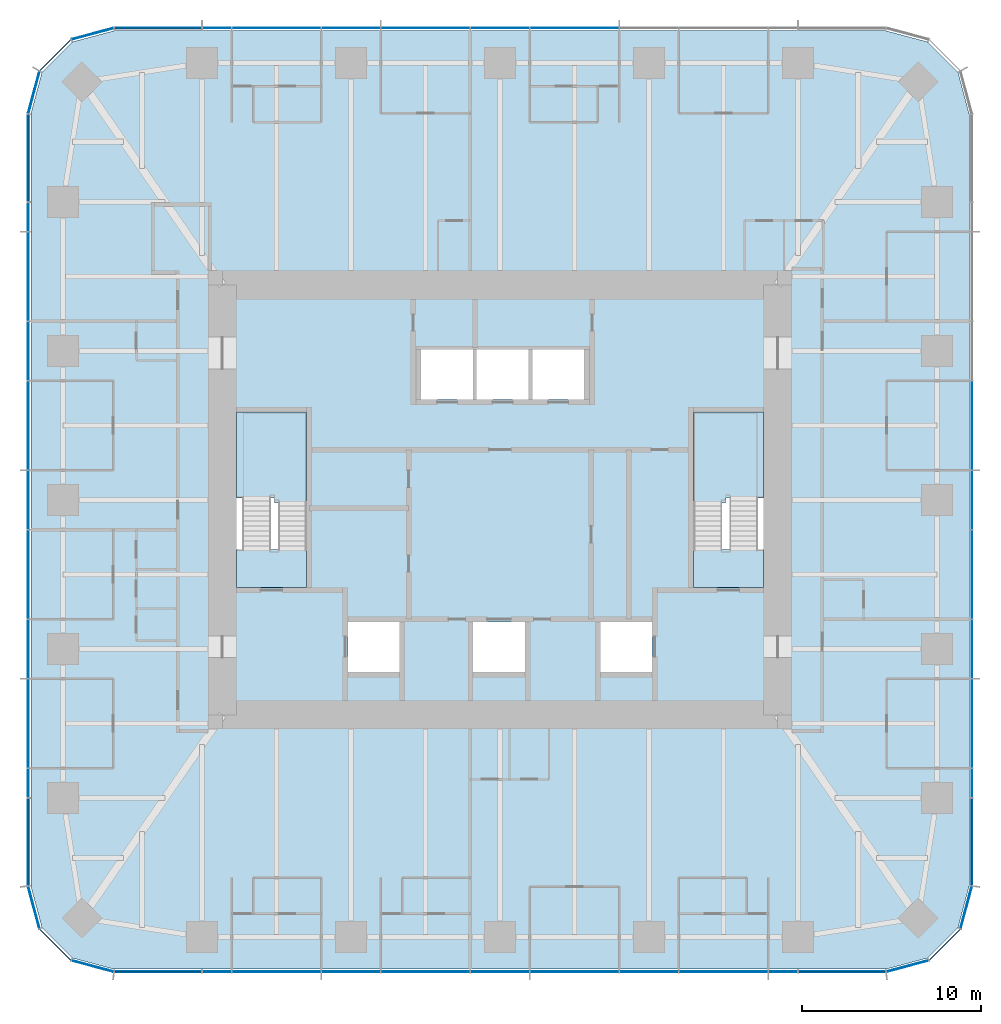
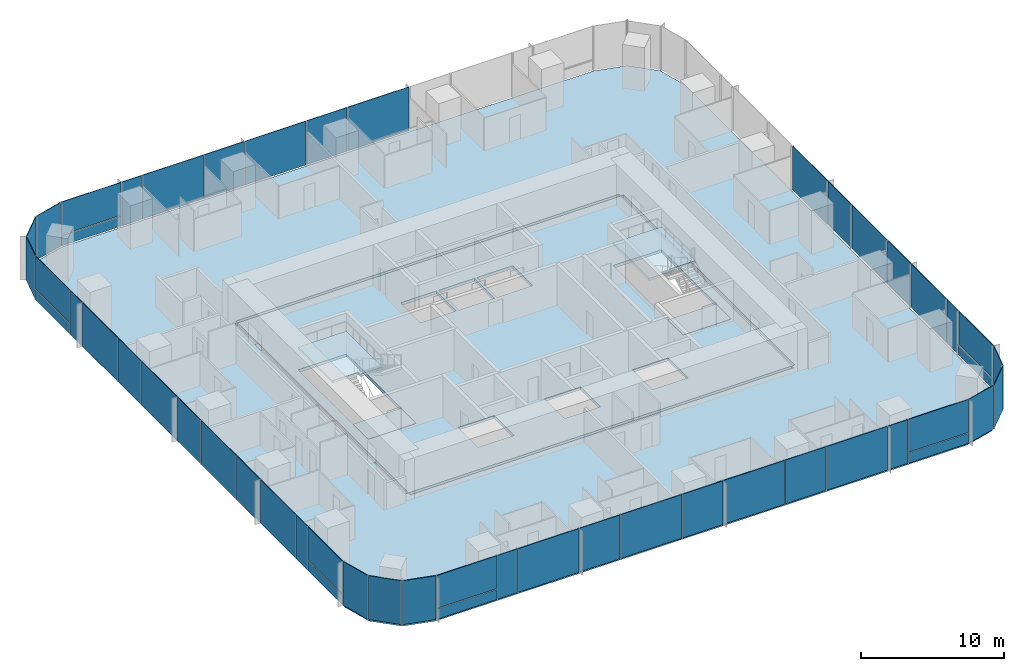
# One storey, part 7 of 12: 51 plates, 6 slabs, 9 elements without a shape of their own.
"""IFC4 building model written with IfcOpenShell, lengths in metres."""

from ifc_helpers import new_model, si_unit, direction, frame, origin, origin_2d, place, context, subcontext, project, spatial, polyline, rectangle, outline, extrude, material, layer, layer_set, type_object, element, aggregate, save


model = new_model("IFC4")

# Units and contexts
model_context = context("Model", 3, precision=1e-05, world=origin(), true_north=direction((0.0, 1.0)))
body_context = subcontext(model_context, "Body", "Model", "MODEL_VIEW")
ifc_project = project(units=[si_unit("LENGTHUNIT", "METRE"), si_unit("AREAUNIT", "SQUARE_METRE"), si_unit("VOLUMEUNIT", "CUBIC_METRE"), si_unit("PLANEANGLEUNIT", "RADIAN"), si_unit("MASSUNIT", "GRAM", prefix="KILO")], contexts=[model_context])

# Site, building, storey
site_placement = place(None, origin())
site = spatial("IfcSite", under=ifc_project, at=site_placement, CompositionType="ELEMENT")
building_placement = place(site_placement, origin())
building = spatial("IfcBuilding", under=site, at=building_placement, Name="Khuree Lantern Residences", CompositionType="ELEMENT")
storey_placement = place(building_placement, frame((0.0, 0.0, 218.25)))
storey = spatial("IfcBuildingStorey", under=building, at=storey_placement, Name="L54", CompositionType="ELEMENT", Elevation=218.25)

# Slab
ifc_material_1 = material(Name="Concrete C35/45", Category="concrete")
ifc_layer_1 = layer(ifc_material_1, 0.25)
ifc_layer_set_1 = layer_set([ifc_layer_1], Name="CFL250 CORE FLOOR SLAB 250")
slab_type_1 = type_object("IfcSlabType", Name="CFL250 CORE FLOOR SLAB 250", PredefinedType="FLOOR", material=ifc_layer_set_1)
slab_1_placement = place(storey_placement, frame((0.0, 0.0, -0.25)))
element("IfcSlab", 1, at=slab_1_placement, inside=storey, type_object=slab_type_1, Name="Core floor L54", PredefinedType="FLOOR", context=body_context, shape_type="SweptSolid", body=[
    extrude(outline(polyline([(-15.5, -12.0), (-15.5, 12.0), (15.5, 12.0), (15.5, -12.0), (-15.5, -12.0)]), holes=[polyline([(10.800048828125, 4.89990234375), (10.800048828125, -4.89990234375), (14.699951171875, -4.89990234375), (14.699951171875, 4.89990234375), (10.800048828125, 4.89990234375)]), polyline([(5.60009765625, -6.800048828125), (5.60009765625, -9.60009765625), (8.5, -9.60009765625), (8.5, -6.800048828125), (5.60009765625, -6.800048828125)]), polyline([(1.800048828125, 8.39990234375), (1.800048828125, 5.60009765625), (4.699951171875, 5.60009765625), (4.699951171875, 8.39990234375), (1.800048828125, 8.39990234375)]), polyline([(-1.300048828125, 8.39990234375), (-1.300048828125, 5.60009765625), (1.60009765625, 5.60009765625), (1.60009765625, 8.39990234375), (-1.300048828125, 8.39990234375)]), polyline([(-1.5, -6.800048828125), (-1.5, -9.60009765625), (1.39990234375, -9.60009765625), (1.39990234375, -6.800048828125), (-1.5, -6.800048828125)]), polyline([(-4.39990234375, 8.39990234375), (-4.39990234375, 5.60009765625), (-1.5, 5.60009765625), (-1.5, 8.39990234375), (-4.39990234375, 8.39990234375)]), polyline([(-8.5, -6.800048828125), (-8.5, -9.60009765625), (-5.60009765625, -9.60009765625), (-5.60009765625, -6.800048828125), (-8.5, -6.800048828125)]), polyline([(-14.699951171875, 4.89990234375), (-14.699951171875, -4.89990234375), (-10.800048828125, -4.89990234375), (-10.800048828125, 4.89990234375), (-14.699951171875, 4.89990234375)])]), origin(), (0.0, 0.0, 1.0), 0.25),
])

# Curtain wall, plates
ifc_material_2 = material(Name="Bronze anodised aluminium", Category="aluminium")
curtain_wall_type_1 = type_object("IfcCurtainWallType", Name="CW-T2 TOWER CORNER CURTAIN WALL", PredefinedType="USERDEFINED", material=ifc_material_2)
curtain_wall_1_placement = place(storey_placement, origin())
curtain_wall_1 = element("IfcCurtainWall", 2, at=curtain_wall_1_placement, inside=storey, type_object=curtain_wall_type_1, Name="L54 SOUTH-EAST CORNER CURTAIN WALL", ObjectType="Faceted corner curtain wall", PredefinedType="USERDEFINED")
ifc_material_3 = material(Name="Bronze tinted triple glazing", Category="glass")
ifc_layer_2 = layer(ifc_material_3, 0.048095703125)
ifc_layer_set_2 = layer_set([ifc_layer_2], Name="FACET PANEL P4")
plate_type_1 = type_object("IfcPlateType", Name="FACET PANEL P4", PredefinedType="CURTAIN_PANEL", material=ifc_layer_set_2)
plate_1_placement = place(storey_placement, frame((22.748046875, -26.029052734375, 0.0), z_axis=(0.0, 0.0, 1.0), x_axis=(0.965925832509, 0.258819021888, 0.0)))
plate_1 = element("IfcPlate", 3, at=plate_1_placement, type_object=plate_type_1, Name="L54 SOUTH-EAST CORNER PANEL 1.1", PredefinedType="CURTAIN_PANEL", context=body_context, shape_type="SweptSolid", body=[
    extrude(rectangle(XDim=2.40869140625, YDim=0.048095703125, at=origin_2d()), origin(), (0.0, 0.0, 1.0), 3.75),
])
plate_2_placement = place(storey_placement, frame((24.828369140625, -24.828369140625, 0.0), z_axis=(0.0, 0.0, 1.0), x_axis=(0.707106781187, 0.707106781187, 0.0)))
plate_2 = element("IfcPlate", 4, at=plate_2_placement, type_object=plate_type_1, Name="L54 SOUTH-EAST CORNER PANEL 2.1", PredefinedType="CURTAIN_PANEL", context=body_context, shape_type="SweptSolid", body=[
    extrude(rectangle(XDim=2.404541015625, YDim=0.048095703125, at=origin_2d()), origin(), (0.0, 0.0, 1.0), 3.75),
])
plate_3_placement = place(storey_placement, frame((26.029052734375, -22.748046875, 0.0), z_axis=(0.0, 0.0, 1.0), x_axis=(0.258819021888, 0.965925832509, 0.0)))
plate_3 = element("IfcPlate", 5, at=plate_3_placement, type_object=plate_type_1, Name="L54 SOUTH-EAST CORNER PANEL 3.1", PredefinedType="CURTAIN_PANEL", context=body_context, shape_type="SweptSolid", body=[
    extrude(rectangle(XDim=2.40869140625, YDim=0.048095703125, at=origin_2d()), origin(), (0.0, 0.0, 1.0), 3.75),
])
aggregate(curtain_wall_1, [plate_1, plate_2, plate_3])

curtain_wall_2_placement = place(storey_placement, origin())
curtain_wall_2 = element("IfcCurtainWall", 6, at=curtain_wall_2_placement, inside=storey, type_object=curtain_wall_type_1, Name="L54 NORTH-WEST CORNER CURTAIN WALL", ObjectType="Faceted corner curtain wall", PredefinedType="USERDEFINED")
plate_4_placement = place(storey_placement, frame((-22.748046875, 26.029052734375, 0.0), z_axis=(0.0, 0.0, 1.0), x_axis=(-0.965925832509, -0.258819021888, 0.0)))
plate_4 = element("IfcPlate", 7, at=plate_4_placement, type_object=plate_type_1, Name="L54 NORTH-WEST CORNER PANEL 29.1", PredefinedType="CURTAIN_PANEL", context=body_context, shape_type="SweptSolid", body=[
    extrude(rectangle(XDim=2.40869140625, YDim=0.048095703125, at=origin_2d()), origin(), (0.0, 0.0, 1.0), 3.75),
])
plate_5_placement = place(storey_placement, frame((-24.828369140625, 24.828369140625, 0.0), z_axis=(0.0, 0.0, 1.0), x_axis=(-0.707106781187, -0.707106781187, 0.0)))
plate_5 = element("IfcPlate", 8, at=plate_5_placement, type_object=plate_type_1, Name="L54 NORTH-WEST CORNER PANEL 30.1", PredefinedType="CURTAIN_PANEL", context=body_context, shape_type="SweptSolid", body=[
    extrude(rectangle(XDim=2.404541015625, YDim=0.048095703125, at=origin_2d()), origin(), (0.0, 0.0, 1.0), 3.75),
])
plate_6_placement = place(storey_placement, frame((-26.029052734375, 22.748046875, 0.0), z_axis=(0.0, 0.0, 1.0), x_axis=(-0.258819021888, -0.965925832509, 0.0)))
plate_6 = element("IfcPlate", 9, at=plate_6_placement, type_object=plate_type_1, Name="L54 NORTH-WEST CORNER PANEL 31.1", PredefinedType="CURTAIN_PANEL", context=body_context, shape_type="SweptSolid", body=[
    extrude(rectangle(XDim=2.40869140625, YDim=0.048095703125, at=origin_2d()), origin(), (0.0, 0.0, 1.0), 3.75),
])
aggregate(curtain_wall_2, [plate_4, plate_5, plate_6])

curtain_wall_3_placement = place(storey_placement, origin())
curtain_wall_3 = element("IfcCurtainWall", 10, at=curtain_wall_3_placement, inside=storey, type_object=curtain_wall_type_1, Name="L54 SOUTH-WEST CORNER CURTAIN WALL", ObjectType="Faceted corner curtain wall", PredefinedType="USERDEFINED")
plate_7_placement = place(storey_placement, frame((-26.029052734375, -22.748046875, 0.0), z_axis=(0.0, 0.0, 1.0), x_axis=(0.258819021888, -0.965925832509, 0.0)))
plate_7 = element("IfcPlate", 11, at=plate_7_placement, type_object=plate_type_1, Name="L54 SOUTH-WEST CORNER PANEL 43.1", PredefinedType="CURTAIN_PANEL", context=body_context, shape_type="SweptSolid", body=[
    extrude(rectangle(XDim=2.40869140625, YDim=0.048095703125, at=origin_2d()), origin(), (0.0, 0.0, 1.0), 3.75),
])
plate_8_placement = place(storey_placement, frame((-24.828369140625, -24.828369140625, 0.0), z_axis=(0.0, 0.0, 1.0), x_axis=(0.707106781187, -0.707106781187, 0.0)))
plate_8 = element("IfcPlate", 12, at=plate_8_placement, type_object=plate_type_1, Name="L54 SOUTH-WEST CORNER PANEL 44.1", PredefinedType="CURTAIN_PANEL", context=body_context, shape_type="SweptSolid", body=[
    extrude(rectangle(XDim=2.404541015625, YDim=0.048095703125, at=origin_2d()), origin(), (0.0, 0.0, 1.0), 3.75),
])
plate_9_placement = place(storey_placement, frame((-22.748046875, -26.029052734375, 0.0), z_axis=(0.0, 0.0, 1.0), x_axis=(0.965925832509, -0.258819021888, 0.0)))
plate_9 = element("IfcPlate", 13, at=plate_9_placement, type_object=plate_type_1, Name="L54 SOUTH-WEST CORNER PANEL 45.1", PredefinedType="CURTAIN_PANEL", context=body_context, shape_type="SweptSolid", body=[
    extrude(rectangle(XDim=2.40869140625, YDim=0.048095703125, at=origin_2d()), origin(), (0.0, 0.0, 1.0), 3.75),
])
aggregate(curtain_wall_3, [plate_7, plate_8, plate_9])

curtain_wall_type_2 = type_object("IfcCurtainWallType", Name="CW-T1 TOWER FACE CURTAIN WALL", PredefinedType="USERDEFINED", material=ifc_material_2)
curtain_wall_4_placement = place(storey_placement, origin())
curtain_wall_4 = element("IfcCurtainWall", 14, at=curtain_wall_4_placement, inside=storey, type_object=curtain_wall_type_2, Name="L54 EAST FACE CURTAIN WALL", ObjectType="Stick-built curtain wall", PredefinedType="USERDEFINED")
ifc_material_4 = material(Name="Bronze tinted triple glazing with a ceramic-fritted spandrel band", Category="glass")
ifc_layer_3 = layer(ifc_material_4, 0.048095703125)
ifc_layer_set_3 = layer_set([ifc_layer_3], Name="FIXED LIGHT PANEL P11")
plate_type_2 = type_object("IfcPlateType", Name="FIXED LIGHT PANEL P11", PredefinedType="CURTAIN_PANEL", material=ifc_layer_set_3)
plate_10_placement = place(storey_placement, frame((26.35009765625, -12.47998046875, 0.0), z_axis=(0.0, 0.0, 1.0), x_axis=(0.0, 1.0, 0.0)))
plate_10 = element("IfcPlate", 15, at=plate_10_placement, type_object=plate_type_2, Name="L54 EAST FACE PANEL 6.1", PredefinedType="CURTAIN_PANEL", context=body_context, shape_type="SweptSolid", body=[
    extrude(rectangle(XDim=4.927001953125, YDim=0.048095703125, at=origin_2d()), origin(), (0.0, 0.0, 1.0), 3.75),
])
plate_11_placement = place(storey_placement, frame((26.35009765625, -4.159912109375, 0.0), z_axis=(0.0, 0.0, 1.0), x_axis=(0.0, 1.0, 0.0)))
plate_11 = element("IfcPlate", 16, at=plate_11_placement, type_object=plate_type_2, Name="L54 EAST FACE PANEL 8.1", PredefinedType="CURTAIN_PANEL", context=body_context, shape_type="SweptSolid", body=[
    extrude(rectangle(XDim=4.927001953125, YDim=0.048095703125, at=origin_2d()), origin(), (0.0, 0.0, 1.0), 3.75),
])
plate_12_placement = place(storey_placement, frame((26.35009765625, 4.159912109375, 0.0), z_axis=(0.0, 0.0, 1.0), x_axis=(0.0, 1.0, 0.0)))
plate_12 = element("IfcPlate", 17, at=plate_12_placement, type_object=plate_type_2, Name="L54 EAST FACE PANEL 10.1", PredefinedType="CURTAIN_PANEL", context=body_context, shape_type="SweptSolid", body=[
    extrude(rectangle(XDim=4.927001953125, YDim=0.048095703125, at=origin_2d()), origin(), (0.0, 0.0, 1.0), 3.75),
])

curtain_wall_5_placement = place(storey_placement, origin())
curtain_wall_5 = element("IfcCurtainWall", 18, at=curtain_wall_5_placement, inside=storey, type_object=curtain_wall_type_2, Name="L54 NORTH FACE CURTAIN WALL", ObjectType="Stick-built curtain wall", PredefinedType="USERDEFINED")
plate_13_placement = place(storey_placement, frame((4.159912109375, 26.35009765625, 0.0), z_axis=(0.0, 0.0, 1.0), x_axis=(-1.0, 0.0, 0.0)))
plate_13 = element("IfcPlate", 19, at=plate_13_placement, type_object=plate_type_2, Name="L54 NORTH FACE PANEL 22.1", PredefinedType="CURTAIN_PANEL", context=body_context, shape_type="SweptSolid", body=[
    extrude(rectangle(XDim=4.927001953125, YDim=0.048095703125, at=origin_2d()), origin(), (0.0, 0.0, 1.0), 3.75),
])
plate_14_placement = place(storey_placement, frame((-4.159912109375, 26.35009765625, 0.0), z_axis=(0.0, 0.0, 1.0), x_axis=(-1.0, 0.0, 0.0)))
plate_14 = element("IfcPlate", 20, at=plate_14_placement, type_object=plate_type_2, Name="L54 NORTH FACE PANEL 24.1", PredefinedType="CURTAIN_PANEL", context=body_context, shape_type="SweptSolid", body=[
    extrude(rectangle(XDim=4.927001953125, YDim=0.048095703125, at=origin_2d()), origin(), (0.0, 0.0, 1.0), 3.75),
])
plate_15_placement = place(storey_placement, frame((-12.47998046875, 26.35009765625, 0.0), z_axis=(0.0, 0.0, 1.0), x_axis=(-1.0, 0.0, 0.0)))
plate_15 = element("IfcPlate", 21, at=plate_15_placement, type_object=plate_type_2, Name="L54 NORTH FACE PANEL 26.1", PredefinedType="CURTAIN_PANEL", context=body_context, shape_type="SweptSolid", body=[
    extrude(rectangle(XDim=4.927001953125, YDim=0.048095703125, at=origin_2d()), origin(), (0.0, 0.0, 1.0), 3.75),
])

curtain_wall_6_placement = place(storey_placement, origin())
curtain_wall_6 = element("IfcCurtainWall", 22, at=curtain_wall_6_placement, inside=storey, type_object=curtain_wall_type_2, Name="L54 WEST FACE CURTAIN WALL", ObjectType="Stick-built curtain wall", PredefinedType="USERDEFINED")
plate_16_placement = place(storey_placement, frame((-26.35009765625, 12.47998046875, 0.0), z_axis=(0.0, 0.0, 1.0), x_axis=(0.0, -1.0, 0.0)))
plate_16 = element("IfcPlate", 23, at=plate_16_placement, type_object=plate_type_2, Name="L54 WEST FACE PANEL 34.1", PredefinedType="CURTAIN_PANEL", context=body_context, shape_type="SweptSolid", body=[
    extrude(rectangle(XDim=4.927001953125, YDim=0.048095703125, at=origin_2d()), origin(), (0.0, 0.0, 1.0), 3.75),
])
plate_17_placement = place(storey_placement, frame((-26.35009765625, 4.159912109375, 0.0), z_axis=(0.0, 0.0, 1.0), x_axis=(0.0, -1.0, 0.0)))
plate_17 = element("IfcPlate", 24, at=plate_17_placement, type_object=plate_type_2, Name="L54 WEST FACE PANEL 36.1", PredefinedType="CURTAIN_PANEL", context=body_context, shape_type="SweptSolid", body=[
    extrude(rectangle(XDim=4.927001953125, YDim=0.048095703125, at=origin_2d()), origin(), (0.0, 0.0, 1.0), 3.75),
])
plate_18_placement = place(storey_placement, frame((-26.35009765625, -4.159912109375, 0.0), z_axis=(0.0, 0.0, 1.0), x_axis=(0.0, -1.0, 0.0)))
plate_18 = element("IfcPlate", 25, at=plate_18_placement, type_object=plate_type_2, Name="L54 WEST FACE PANEL 38.1", PredefinedType="CURTAIN_PANEL", context=body_context, shape_type="SweptSolid", body=[
    extrude(rectangle(XDim=4.927001953125, YDim=0.048095703125, at=origin_2d()), origin(), (0.0, 0.0, 1.0), 3.75),
])
plate_19_placement = place(storey_placement, frame((-26.35009765625, -12.47998046875, 0.0), z_axis=(0.0, 0.0, 1.0), x_axis=(0.0, -1.0, 0.0)))
plate_19 = element("IfcPlate", 26, at=plate_19_placement, type_object=plate_type_2, Name="L54 WEST FACE PANEL 40.1", PredefinedType="CURTAIN_PANEL", context=body_context, shape_type="SweptSolid", body=[
    extrude(rectangle(XDim=4.927001953125, YDim=0.048095703125, at=origin_2d()), origin(), (0.0, 0.0, 1.0), 3.75),
])

curtain_wall_7_placement = place(storey_placement, origin())
curtain_wall_7 = element("IfcCurtainWall", 27, at=curtain_wall_7_placement, inside=storey, type_object=curtain_wall_type_2, Name="L54 SOUTH FACE CURTAIN WALL", ObjectType="Stick-built curtain wall", PredefinedType="USERDEFINED")
plate_20_placement = place(storey_placement, frame((-12.47998046875, -26.35009765625, 0.0), z_axis=(0.0, 0.0, 1.0), x_axis=(1.0, 0.0, 0.0)))
plate_20 = element("IfcPlate", 28, at=plate_20_placement, type_object=plate_type_2, Name="L54 SOUTH FACE PANEL 48.1", PredefinedType="CURTAIN_PANEL", context=body_context, shape_type="SweptSolid", body=[
    extrude(rectangle(XDim=4.927001953125, YDim=0.048095703125, at=origin_2d()), origin(), (0.0, 0.0, 1.0), 3.75),
])
plate_21_placement = place(storey_placement, frame((-4.159912109375, -26.35009765625, 0.0), z_axis=(0.0, 0.0, 1.0), x_axis=(1.0, 0.0, 0.0)))
plate_21 = element("IfcPlate", 29, at=plate_21_placement, type_object=plate_type_2, Name="L54 SOUTH FACE PANEL 50.1", PredefinedType="CURTAIN_PANEL", context=body_context, shape_type="SweptSolid", body=[
    extrude(rectangle(XDim=4.927001953125, YDim=0.048095703125, at=origin_2d()), origin(), (0.0, 0.0, 1.0), 3.75),
])
plate_22_placement = place(storey_placement, frame((4.159912109375, -26.35009765625, 0.0), z_axis=(0.0, 0.0, 1.0), x_axis=(1.0, 0.0, 0.0)))
plate_22 = element("IfcPlate", 30, at=plate_22_placement, type_object=plate_type_2, Name="L54 SOUTH FACE PANEL 52.1", PredefinedType="CURTAIN_PANEL", context=body_context, shape_type="SweptSolid", body=[
    extrude(rectangle(XDim=4.927001953125, YDim=0.048095703125, at=origin_2d()), origin(), (0.0, 0.0, 1.0), 3.75),
])
plate_23_placement = place(storey_placement, frame((12.47998046875, -26.35009765625, 0.0), z_axis=(0.0, 0.0, 1.0), x_axis=(1.0, 0.0, 0.0)))
plate_23 = element("IfcPlate", 31, at=plate_23_placement, type_object=plate_type_2, Name="L54 SOUTH FACE PANEL 54.1", PredefinedType="CURTAIN_PANEL", context=body_context, shape_type="SweptSolid", body=[
    extrude(rectangle(XDim=4.927001953125, YDim=0.048095703125, at=origin_2d()), origin(), (0.0, 0.0, 1.0), 3.75),
])

# Slab
ifc_layer_4 = layer(ifc_material_1, 0.25)
ifc_layer_set_4 = layer_set([ifc_layer_4], Name="FS250 FLOOR SLAB 250")
slab_type_2 = type_object("IfcSlabType", Name="FS250 FLOOR SLAB 250", PredefinedType="FLOOR", material=ifc_layer_set_4)
slab_2_placement = place(storey_placement, frame((0.0, 0.0, -0.25)))
element("IfcSlab", 32, at=slab_2_placement, inside=storey, type_object=slab_type_2, Name="Floor slab L54", PredefinedType="FLOOR", context=body_context, shape_type="SweptSolid", body=[
    extrude(outline(polyline([(-23.875, -25.576904296875), (-25.576904296875, -23.875), (-26.199951171875, -21.550048828125), (-26.199951171875, 21.550048828125), (-25.576904296875, 23.875), (-23.875, 25.576904296875), (-21.550048828125, 26.199951171875), (21.550048828125, 26.199951171875), (23.875, 25.576904296875), (25.576904296875, 23.875), (26.199951171875, 21.550048828125), (26.199951171875, -21.550048828125), (25.576904296875, -23.875), (23.875, -25.576904296875), (21.550048828125, -26.199951171875), (-21.550048828125, -26.199951171875), (-23.875, -25.576904296875)]), holes=[polyline([(15.75, 12.0), (15.5, 12.0), (15.5, 12.25), (-15.5, 12.25), (-15.5, 12.0), (-15.75, 12.0), (-15.75, -12.0), (-15.5, -12.0), (-15.5, -12.25), (15.5, -12.25), (15.5, -12.0), (15.75, -12.0), (15.75, 12.0)])]), origin(), (0.0, 0.0, 1.0), 0.25),
])

# Plate
ifc_material_5 = material(Name="Bronze tinted triple glazing, two aluminium-framed sashes in one frame", Category="aluminium")
ifc_layer_5 = layer(ifc_material_5, 0.048095703125)
ifc_layer_set_5 = layer_set([ifc_layer_5], Name="SASH PAIR PANEL P12")
plate_type_3 = type_object("IfcPlateType", Name="SASH PAIR PANEL P12", PredefinedType="CURTAIN_PANEL", material=ifc_layer_set_5)
plate_24_placement = place(storey_placement, frame((26.35009765625, -8.320068359375, 0.0), z_axis=(0.0, 0.0, 1.0), x_axis=(0.0, 1.0, 0.0)))
plate_24 = element("IfcPlate", 33, at=plate_24_placement, type_object=plate_type_3, Name="L54 EAST FACE PANEL 7.1", PredefinedType="CURTAIN_PANEL", context=body_context, shape_type="SweptSolid", body=[
    extrude(rectangle(XDim=3.262939453125, YDim=0.048095703125, at=origin_2d()), origin(), (0.0, 0.0, 1.0), 3.75),
])

plate_25_placement = place(storey_placement, frame((26.35009765625, 0.0, 0.0), z_axis=(0.0, 0.0, 1.0), x_axis=(0.0, 1.0, 0.0)))
plate_25 = element("IfcPlate", 34, at=plate_25_placement, type_object=plate_type_3, Name="L54 EAST FACE PANEL 9.1", PredefinedType="CURTAIN_PANEL", context=body_context, shape_type="SweptSolid", body=[
    extrude(rectangle(XDim=3.262939453125, YDim=0.048095703125, at=origin_2d()), origin(), (0.0, 0.0, 1.0), 3.75),
])

plate_26_placement = place(storey_placement, frame((0.0, 26.35009765625, 0.0), z_axis=(0.0, 0.0, 1.0), x_axis=(-1.0, 0.0, 0.0)))
plate_26 = element("IfcPlate", 35, at=plate_26_placement, type_object=plate_type_3, Name="L54 NORTH FACE PANEL 23.1", PredefinedType="CURTAIN_PANEL", context=body_context, shape_type="SweptSolid", body=[
    extrude(rectangle(XDim=3.262939453125, YDim=0.048095703125, at=origin_2d()), origin(), (0.0, 0.0, 1.0), 3.75),
])

plate_27_placement = place(storey_placement, frame((-8.320068359375, 26.35009765625, 0.0), z_axis=(0.0, 0.0, 1.0), x_axis=(-1.0, 0.0, 0.0)))
plate_27 = element("IfcPlate", 36, at=plate_27_placement, type_object=plate_type_3, Name="L54 NORTH FACE PANEL 25.1", PredefinedType="CURTAIN_PANEL", context=body_context, shape_type="SweptSolid", body=[
    extrude(rectangle(XDim=3.262939453125, YDim=0.048095703125, at=origin_2d()), origin(), (0.0, 0.0, 1.0), 3.75),
])

plate_28_placement = place(storey_placement, frame((-26.35009765625, 8.320068359375, 0.0), z_axis=(0.0, 0.0, 1.0), x_axis=(0.0, -1.0, 0.0)))
plate_28 = element("IfcPlate", 37, at=plate_28_placement, type_object=plate_type_3, Name="L54 WEST FACE PANEL 35.1", PredefinedType="CURTAIN_PANEL", context=body_context, shape_type="SweptSolid", body=[
    extrude(rectangle(XDim=3.262939453125, YDim=0.048095703125, at=origin_2d()), origin(), (0.0, 0.0, 1.0), 3.75),
])

plate_29_placement = place(storey_placement, frame((-26.35009765625, 0.0, 0.0), z_axis=(0.0, 0.0, 1.0), x_axis=(0.0, -1.0, 0.0)))
plate_29 = element("IfcPlate", 38, at=plate_29_placement, type_object=plate_type_3, Name="L54 WEST FACE PANEL 37.1", PredefinedType="CURTAIN_PANEL", context=body_context, shape_type="SweptSolid", body=[
    extrude(rectangle(XDim=3.262939453125, YDim=0.048095703125, at=origin_2d()), origin(), (0.0, 0.0, 1.0), 3.75),
])

plate_30_placement = place(storey_placement, frame((-26.35009765625, -8.320068359375, 0.0), z_axis=(0.0, 0.0, 1.0), x_axis=(0.0, -1.0, 0.0)))
plate_30 = element("IfcPlate", 39, at=plate_30_placement, type_object=plate_type_3, Name="L54 WEST FACE PANEL 39.1", PredefinedType="CURTAIN_PANEL", context=body_context, shape_type="SweptSolid", body=[
    extrude(rectangle(XDim=3.262939453125, YDim=0.048095703125, at=origin_2d()), origin(), (0.0, 0.0, 1.0), 3.75),
])

plate_31_placement = place(storey_placement, frame((-8.320068359375, -26.35009765625, 0.0), z_axis=(0.0, 0.0, 1.0), x_axis=(1.0, 0.0, 0.0)))
plate_31 = element("IfcPlate", 40, at=plate_31_placement, type_object=plate_type_3, Name="L54 SOUTH FACE PANEL 49.1", PredefinedType="CURTAIN_PANEL", context=body_context, shape_type="SweptSolid", body=[
    extrude(rectangle(XDim=3.262939453125, YDim=0.048095703125, at=origin_2d()), origin(), (0.0, 0.0, 1.0), 3.75),
])

plate_32_placement = place(storey_placement, frame((0.0, -26.35009765625, 0.0), z_axis=(0.0, 0.0, 1.0), x_axis=(1.0, 0.0, 0.0)))
plate_32 = element("IfcPlate", 41, at=plate_32_placement, type_object=plate_type_3, Name="L54 SOUTH FACE PANEL 51.1", PredefinedType="CURTAIN_PANEL", context=body_context, shape_type="SweptSolid", body=[
    extrude(rectangle(XDim=3.262939453125, YDim=0.048095703125, at=origin_2d()), origin(), (0.0, 0.0, 1.0), 3.75),
])

plate_33_placement = place(storey_placement, frame((8.320068359375, -26.35009765625, 0.0), z_axis=(0.0, 0.0, 1.0), x_axis=(1.0, 0.0, 0.0)))
plate_33 = element("IfcPlate", 42, at=plate_33_placement, type_object=plate_type_3, Name="L54 SOUTH FACE PANEL 53.1", PredefinedType="CURTAIN_PANEL", context=body_context, shape_type="SweptSolid", body=[
    extrude(rectangle(XDim=3.262939453125, YDim=0.048095703125, at=origin_2d()), origin(), (0.0, 0.0, 1.0), 3.75),
])

ifc_material_6 = material(Name="Bronze tinted triple glazing, aluminium-framed sash", Category="aluminium")
ifc_layer_6 = layer(ifc_material_6, 0.048095703125)
ifc_layer_set_6 = layer_set([ifc_layer_6], Name="SASH PANEL P3")
plate_type_4 = type_object("IfcPlateType", Name="SASH PANEL P3", PredefinedType="CURTAIN_PANEL", material=ifc_layer_set_6)
plate_34_placement = place(storey_placement, frame((26.35009765625, -15.80810546875, 0.0), z_axis=(0.0, 0.0, 1.0), x_axis=(0.0, 1.0, 0.0)))
plate_34 = element("IfcPlate", 43, at=plate_34_placement, type_object=plate_type_4, Name="L54 EAST FACE PANEL 5.1", PredefinedType="CURTAIN_PANEL", context=body_context, shape_type="SweptSolid", body=[
    extrude(rectangle(XDim=1.59912109375, YDim=0.048095703125, at=origin_2d()), origin(), (0.0, 0.0, 1.0), 3.75),
])

plate_35_placement = place(storey_placement, frame((-15.80810546875, 26.35009765625, 0.0), z_axis=(0.0, 0.0, 1.0), x_axis=(-1.0, 0.0, 0.0)))
plate_35 = element("IfcPlate", 44, at=plate_35_placement, type_object=plate_type_4, Name="L54 NORTH FACE PANEL 27.1", PredefinedType="CURTAIN_PANEL", context=body_context, shape_type="SweptSolid", body=[
    extrude(rectangle(XDim=1.59912109375, YDim=0.048095703125, at=origin_2d()), origin(), (0.0, 0.0, 1.0), 3.75),
])

plate_36_placement = place(storey_placement, frame((-26.35009765625, 15.80810546875, 0.0), z_axis=(0.0, 0.0, 1.0), x_axis=(0.0, -1.0, 0.0)))
plate_36 = element("IfcPlate", 45, at=plate_36_placement, type_object=plate_type_4, Name="L54 WEST FACE PANEL 33.1", PredefinedType="CURTAIN_PANEL", context=body_context, shape_type="SweptSolid", body=[
    extrude(rectangle(XDim=1.59912109375, YDim=0.048095703125, at=origin_2d()), origin(), (0.0, 0.0, 1.0), 3.75),
])

plate_37_placement = place(storey_placement, frame((-26.35009765625, -15.80810546875, 0.0), z_axis=(0.0, 0.0, 1.0), x_axis=(0.0, -1.0, 0.0)))
plate_37 = element("IfcPlate", 46, at=plate_37_placement, type_object=plate_type_4, Name="L54 WEST FACE PANEL 41.1", PredefinedType="CURTAIN_PANEL", context=body_context, shape_type="SweptSolid", body=[
    extrude(rectangle(XDim=1.59912109375, YDim=0.048095703125, at=origin_2d()), origin(), (0.0, 0.0, 1.0), 3.75),
])

plate_38_placement = place(storey_placement, frame((-15.80810546875, -26.35009765625, 0.0), z_axis=(0.0, 0.0, 1.0), x_axis=(1.0, 0.0, 0.0)))
plate_38 = element("IfcPlate", 47, at=plate_38_placement, type_object=plate_type_4, Name="L54 SOUTH FACE PANEL 47.1", PredefinedType="CURTAIN_PANEL", context=body_context, shape_type="SweptSolid", body=[
    extrude(rectangle(XDim=1.59912109375, YDim=0.048095703125, at=origin_2d()), origin(), (0.0, 0.0, 1.0), 3.75),
])

plate_39_placement = place(storey_placement, frame((15.80810546875, -26.35009765625, 0.0), z_axis=(0.0, 0.0, 1.0), x_axis=(1.0, 0.0, 0.0)))
plate_39 = element("IfcPlate", 48, at=plate_39_placement, type_object=plate_type_4, Name="L54 SOUTH FACE PANEL 55.1", PredefinedType="CURTAIN_PANEL", context=body_context, shape_type="SweptSolid", body=[
    extrude(rectangle(XDim=1.59912109375, YDim=0.048095703125, at=origin_2d()), origin(), (0.0, 0.0, 1.0), 3.75),
])

ifc_material_7 = material(Name="Bronze anodised aluminium insulated spandrel", Category="aluminium")
ifc_layer_7 = layer(ifc_material_7, 0.06005859375)
ifc_layer_set_7 = layer_set([ifc_layer_7], Name="SPANDREL PANEL P2")
plate_type_5 = type_object("IfcPlateType", Name="SPANDREL PANEL P2", PredefinedType="CURTAIN_PANEL", material=ifc_layer_set_7)
plate_40_placement = place(storey_placement, frame((26.35009765625, -19.0927734375, 0.0), z_axis=(0.0, 0.0, 1.0), x_axis=(0.0, 1.0, 0.0)))
plate_40 = element("IfcPlate", 49, at=plate_40_placement, type_object=plate_type_5, Name="L54 EAST FACE PANEL 4.1", PredefinedType="CURTAIN_PANEL", context=body_context, shape_type="SweptSolid", body=[
    extrude(rectangle(XDim=4.8408203125, YDim=0.06005859375, at=origin_2d()), origin(), (0.0, 0.0, 1.0), 0.867431640625),
])

plate_41_placement = place(storey_placement, frame((-19.0927734375, 26.35009765625, 0.0), z_axis=(0.0, 0.0, 1.0), x_axis=(-1.0, 0.0, 0.0)))
plate_41 = element("IfcPlate", 50, at=plate_41_placement, type_object=plate_type_5, Name="L54 NORTH FACE PANEL 28.1", PredefinedType="CURTAIN_PANEL", context=body_context, shape_type="SweptSolid", body=[
    extrude(rectangle(XDim=4.8408203125, YDim=0.06005859375, at=origin_2d()), origin(), (0.0, 0.0, 1.0), 0.867431640625),
])

plate_42_placement = place(storey_placement, frame((-26.35009765625, 19.0927734375, 0.0), z_axis=(0.0, 0.0, 1.0), x_axis=(0.0, -1.0, 0.0)))
plate_42 = element("IfcPlate", 51, at=plate_42_placement, type_object=plate_type_5, Name="L54 WEST FACE PANEL 32.1", PredefinedType="CURTAIN_PANEL", context=body_context, shape_type="SweptSolid", body=[
    extrude(rectangle(XDim=4.8408203125, YDim=0.06005859375, at=origin_2d()), origin(), (0.0, 0.0, 1.0), 0.867431640625),
])

plate_43_placement = place(storey_placement, frame((-26.35009765625, -19.0927734375, 0.0), z_axis=(0.0, 0.0, 1.0), x_axis=(0.0, -1.0, 0.0)))
plate_43 = element("IfcPlate", 52, at=plate_43_placement, type_object=plate_type_5, Name="L54 WEST FACE PANEL 42.1", PredefinedType="CURTAIN_PANEL", context=body_context, shape_type="SweptSolid", body=[
    extrude(rectangle(XDim=4.8408203125, YDim=0.06005859375, at=origin_2d()), origin(), (0.0, 0.0, 1.0), 0.867431640625),
])

plate_44_placement = place(storey_placement, frame((-19.0927734375, -26.35009765625, 0.0), z_axis=(0.0, 0.0, 1.0), x_axis=(1.0, 0.0, 0.0)))
plate_44 = element("IfcPlate", 53, at=plate_44_placement, type_object=plate_type_5, Name="L54 SOUTH FACE PANEL 46.1", PredefinedType="CURTAIN_PANEL", context=body_context, shape_type="SweptSolid", body=[
    extrude(rectangle(XDim=4.8408203125, YDim=0.06005859375, at=origin_2d()), origin(), (0.0, 0.0, 1.0), 0.867431640625),
])

plate_45_placement = place(storey_placement, frame((19.0927734375, -26.35009765625, 0.0), z_axis=(0.0, 0.0, 1.0), x_axis=(1.0, 0.0, 0.0)))
plate_45 = element("IfcPlate", 54, at=plate_45_placement, type_object=plate_type_5, Name="L54 SOUTH FACE PANEL 56.1", PredefinedType="CURTAIN_PANEL", context=body_context, shape_type="SweptSolid", body=[
    extrude(rectangle(XDim=4.8408203125, YDim=0.06005859375, at=origin_2d()), origin(), (0.0, 0.0, 1.0), 0.867431640625),
])

# Stair, slabs
ifc_material_8 = material(Name="Concrete C40/50", Category="concrete")
stair_type = type_object("IfcStairType", Name="STAIR ST1 HALF TURN 3600", PredefinedType="HALF_TURN_STAIR", material=ifc_material_8)
stair_1_placement = place(storey_placement, origin())
stair_1 = element("IfcStair", 55, at=stair_1_placement, inside=storey, type_object=stair_type, Name="Stair ST1", PredefinedType="HALF_TURN_STAIR")
ifc_layer_8 = layer(ifc_material_8, 0.199951171875)
ifc_layer_set_8 = layer_set([ifc_layer_8], Name="STAIR LANDING SL1 200")
slab_type_3 = type_object("IfcSlabType", Name="STAIR LANDING SL1 200", PredefinedType="LANDING", material=ifc_layer_set_8)
slab_3_placement = place(storey_placement, frame((0.0, 0.0, -0.199951171875)))
slab_3 = element("IfcSlab", 56, at=slab_3_placement, type_object=slab_type_3, Name="ST1 landing 1", PredefinedType="LANDING", context=body_context, shape_type="SweptSolid", body=[
    extrude(outline(polyline([(-14.699951171875, -4.89990234375), (-10.800048828125, -4.89990234375), (-10.800048828125, -2.760009765625), (-14.699951171875, -2.760009765625), (-14.699951171875, -4.89990234375)])), origin(), (0.0, 0.0, 1.0), 0.199951171875),
])
slab_4_placement = place(storey_placement, frame((0.0, 0.0, 1.756591796875)))
slab_4 = element("IfcSlab", 57, at=slab_4_placement, type_object=slab_type_3, Name="ST1 landing 2", PredefinedType="LANDING", context=body_context, shape_type="SweptSolid", body=[
    extrude(outline(polyline([(-14.699951171875, 0.1201171875), (-14.699951171875, 4.89990234375), (-10.800048828125, 4.89990234375), (-10.800048828125, -0.159912109375), (-12.60009765625, -0.159912109375), (-12.60009765625, 0.1201171875), (-14.699951171875, 0.1201171875)])), origin(), (0.0, 0.0, 1.0), 0.199951171875),
])
aggregate(stair_1, [slab_3, slab_4])

stair_2_placement = place(storey_placement, origin())
stair_2 = element("IfcStair", 58, at=stair_2_placement, inside=storey, type_object=stair_type, Name="Stair ST2", PredefinedType="HALF_TURN_STAIR")
slab_5_placement = place(storey_placement, frame((0.0, 0.0, -0.199951171875)))
slab_5 = element("IfcSlab", 59, at=slab_5_placement, type_object=slab_type_3, Name="ST2 landing 1", PredefinedType="LANDING", context=body_context, shape_type="SweptSolid", body=[
    extrude(outline(polyline([(10.800048828125, -4.89990234375), (14.699951171875, -4.89990234375), (14.699951171875, -2.760009765625), (10.800048828125, -2.760009765625), (10.800048828125, -4.89990234375)])), origin(), (0.0, 0.0, 1.0), 0.199951171875),
])
slab_6_placement = place(storey_placement, frame((0.0, 0.0, 1.756591796875)))
slab_6 = element("IfcSlab", 60, at=slab_6_placement, type_object=slab_type_3, Name="ST2 landing 2", PredefinedType="LANDING", context=body_context, shape_type="SweptSolid", body=[
    extrude(outline(polyline([(14.699951171875, 4.89990234375), (14.699951171875, 0.1201171875), (12.60009765625, 0.1201171875), (12.60009765625, -0.159912109375), (10.800048828125, -0.159912109375), (10.800048828125, 4.89990234375), (14.699951171875, 4.89990234375)])), origin(), (0.0, 0.0, 1.0), 0.199951171875),
])
aggregate(stair_2, [slab_5, slab_6])

# Plate
ifc_layer_9 = layer(ifc_material_3, 0.048095703125)
ifc_layer_set_9 = layer_set([ifc_layer_9], Name="VISION PANEL P1")
plate_type_6 = type_object("IfcPlateType", Name="VISION PANEL P1", PredefinedType="CURTAIN_PANEL", material=ifc_layer_set_9)
plate_46_placement = place(storey_placement, frame((26.35009765625, -19.09326171875, 0.9326171875), z_axis=(0.0, 0.0, 1.0), x_axis=(0.0, 1.0, 0.0)))
plate_46 = element("IfcPlate", 61, at=plate_46_placement, type_object=plate_type_6, Name="L54 EAST FACE PANEL 4.2", PredefinedType="CURTAIN_PANEL", context=body_context, shape_type="SweptSolid", body=[
    extrude(rectangle(XDim=4.841552734375, YDim=0.048095703125, at=origin_2d()), origin(), (0.0, 0.0, 1.0), 2.8173828125),
])

aggregate(curtain_wall_4, [plate_40, plate_46, plate_34, plate_10, plate_24, plate_11, plate_25, plate_12])

plate_47_placement = place(storey_placement, frame((-19.09326171875, 26.35009765625, 0.9326171875), z_axis=(0.0, 0.0, 1.0), x_axis=(-1.0, 0.0, 0.0)))
plate_47 = element("IfcPlate", 62, at=plate_47_placement, type_object=plate_type_6, Name="L54 NORTH FACE PANEL 28.2", PredefinedType="CURTAIN_PANEL", context=body_context, shape_type="SweptSolid", body=[
    extrude(rectangle(XDim=4.841552734375, YDim=0.048095703125, at=origin_2d()), origin(), (0.0, 0.0, 1.0), 2.8173828125),
])

aggregate(curtain_wall_5, [plate_13, plate_26, plate_14, plate_27, plate_15, plate_35, plate_41, plate_47])

plate_48_placement = place(storey_placement, frame((-26.35009765625, 19.09326171875, 0.9326171875), z_axis=(0.0, 0.0, 1.0), x_axis=(0.0, -1.0, 0.0)))
plate_48 = element("IfcPlate", 63, at=plate_48_placement, type_object=plate_type_6, Name="L54 WEST FACE PANEL 32.2", PredefinedType="CURTAIN_PANEL", context=body_context, shape_type="SweptSolid", body=[
    extrude(rectangle(XDim=4.841552734375, YDim=0.048095703125, at=origin_2d()), origin(), (0.0, 0.0, 1.0), 2.8173828125),
])

plate_49_placement = place(storey_placement, frame((-26.35009765625, -19.09326171875, 0.9326171875), z_axis=(0.0, 0.0, 1.0), x_axis=(0.0, -1.0, 0.0)))
plate_49 = element("IfcPlate", 64, at=plate_49_placement, type_object=plate_type_6, Name="L54 WEST FACE PANEL 42.2", PredefinedType="CURTAIN_PANEL", context=body_context, shape_type="SweptSolid", body=[
    extrude(rectangle(XDim=4.841552734375, YDim=0.048095703125, at=origin_2d()), origin(), (0.0, 0.0, 1.0), 2.8173828125),
])

aggregate(curtain_wall_6, [plate_42, plate_48, plate_36, plate_16, plate_28, plate_17, plate_29, plate_18, plate_30, plate_19, plate_37, plate_43, plate_49])

plate_50_placement = place(storey_placement, frame((-19.09326171875, -26.35009765625, 0.9326171875), z_axis=(0.0, 0.0, 1.0), x_axis=(1.0, 0.0, 0.0)))
plate_50 = element("IfcPlate", 65, at=plate_50_placement, type_object=plate_type_6, Name="L54 SOUTH FACE PANEL 46.2", PredefinedType="CURTAIN_PANEL", context=body_context, shape_type="SweptSolid", body=[
    extrude(rectangle(XDim=4.841552734375, YDim=0.048095703125, at=origin_2d()), origin(), (0.0, 0.0, 1.0), 2.8173828125),
])

plate_51_placement = place(storey_placement, frame((19.09326171875, -26.35009765625, 0.9326171875), z_axis=(0.0, 0.0, 1.0), x_axis=(1.0, 0.0, 0.0)))
plate_51 = element("IfcPlate", 66, at=plate_51_placement, type_object=plate_type_6, Name="L54 SOUTH FACE PANEL 56.2", PredefinedType="CURTAIN_PANEL", context=body_context, shape_type="SweptSolid", body=[
    extrude(rectangle(XDim=4.841552734375, YDim=0.048095703125, at=origin_2d()), origin(), (0.0, 0.0, 1.0), 2.8173828125),
])

aggregate(curtain_wall_7, [plate_44, plate_50, plate_38, plate_20, plate_31, plate_21, plate_32, plate_22, plate_33, plate_23, plate_39, plate_45, plate_51])

save(model, "model.ifc")
